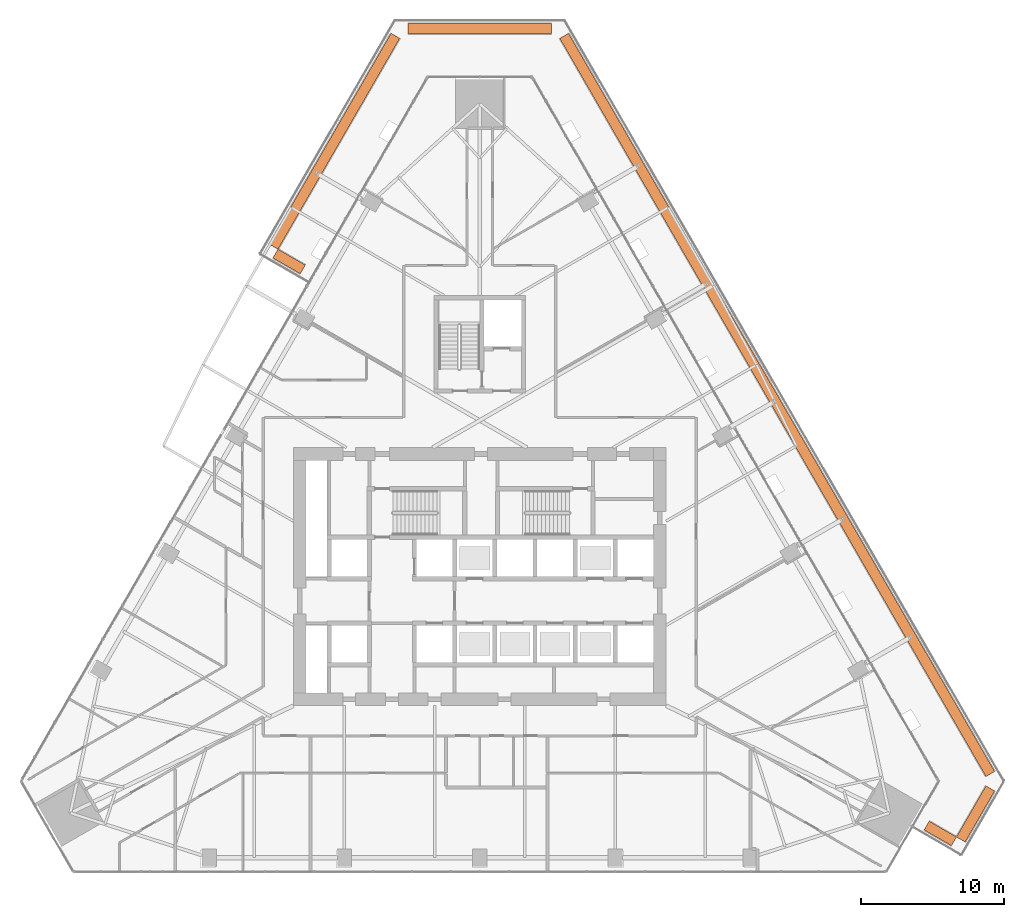
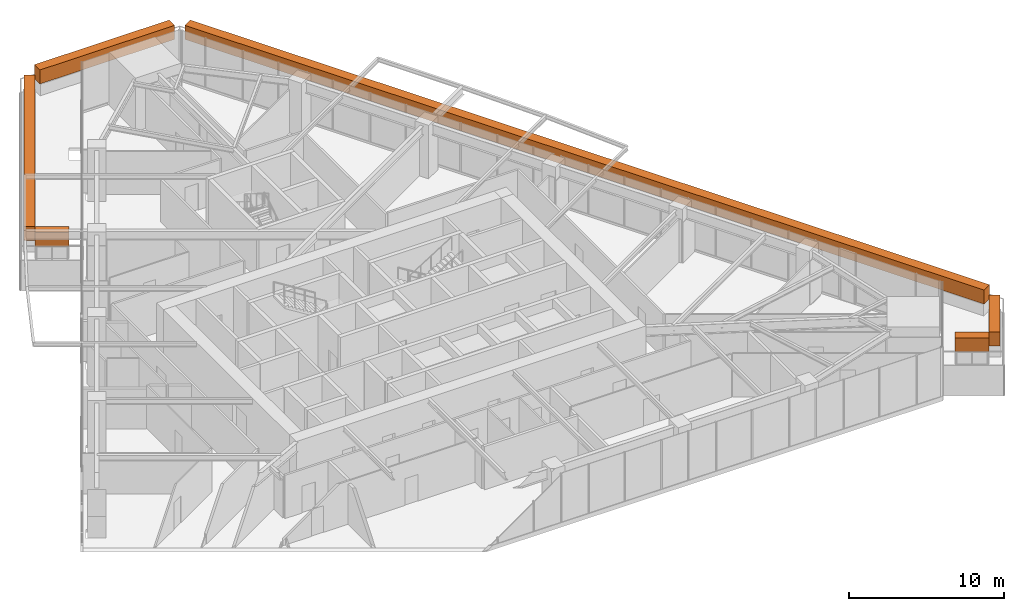
# One storey, part 29 of 29: 6 geographic elements.
"""IFC4 building model written with IfcOpenShell, lengths in metres."""

from ifc_helpers import new_model, si_unit, direction, frame, origin, origin_2d, place, context, subcontext, project, spatial, rectangle, extrude, material, type_object, element, save


model = new_model("IFC4")

# Units and contexts
model_context = context("Model", 3, precision=1e-05, world=origin(), true_north=direction((0.0, 1.0)))
body_context = subcontext(model_context, "Body", "Model", "MODEL_VIEW")
ifc_project = project(units=[si_unit("LENGTHUNIT", "METRE"), si_unit("AREAUNIT", "SQUARE_METRE"), si_unit("VOLUMEUNIT", "CUBIC_METRE"), si_unit("PLANEANGLEUNIT", "RADIAN"), si_unit("MASSUNIT", "GRAM", prefix="KILO")], contexts=[model_context])

# Site, building, storey
site_placement = place(None, origin())
site = spatial("IfcSite", under=ifc_project, at=site_placement, CompositionType="ELEMENT")
building_placement = place(site_placement, origin())
building = spatial("IfcBuilding", under=site, at=building_placement, Name="Firuza Gate Tower and Library", CompositionType="ELEMENT")
storey_placement = place(building_placement, frame((0.0, 0.0, 82.0)))
storey = spatial("IfcBuildingStorey", under=building, at=storey_placement, Name="L18", CompositionType="ELEMENT", Elevation=82.0)

# Geographic elements
ifc_material = material(Name="Foliage")
geographic_element_type = type_object("IfcGeographicElementType", Name="Planted hedge", PredefinedType="USERDEFINED", material=ifc_material)
geographic_element_1_placement = place(storey_placement, frame((107.115478515625, 57.09326171875, 0.89990234375), z_axis=(0.0, 0.0, 1.0), x_axis=(0.866025403784, -0.5, 0.0)))
element("IfcGeographicElement", 1, at=geographic_element_1_placement, inside=storey, type_object=geographic_element_type, Name="Planted hedge", ObjectType="HEDGE", PredefinedType="USERDEFINED", context=body_context, shape_type="SweptSolid", body=[
    extrude(rectangle(XDim=2.199951171875, YDim=0.699951171875, at=origin_2d()), origin(), (0.0, 0.0, 1.0), 1.10009765625),
])
geographic_element_2_placement = place(storey_placement, frame((109.573486328125, 58.45068359375, 0.89990234375), z_axis=(0.0, 0.0, 1.0), x_axis=(0.5, 0.866025403784, 0.0)))
element("IfcGeographicElement", 2, at=geographic_element_2_placement, inside=storey, type_object=geographic_element_type, Name="Planted hedge", ObjectType="HEDGE", PredefinedType="USERDEFINED", context=body_context, shape_type="SweptSolid", body=[
    extrude(rectangle(XDim=4.109375, YDim=0.699951171875, at=origin_2d()), origin(), (0.0, 0.0, 1.0), 1.10009765625),
])
geographic_element_3_placement = place(storey_placement, frame((95.741943359375, 86.975341796875, 0.89990234375), z_axis=(0.0, 0.0, 1.0), x_axis=(-0.5, 0.866025403784, 0.0)))
element("IfcGeographicElement", 3, at=geographic_element_3_placement, inside=storey, type_object=geographic_element_type, Name="Planted hedge", ObjectType="HEDGE", PredefinedType="USERDEFINED", context=body_context, shape_type="SweptSolid", body=[
    extrude(rectangle(XDim=59.435546875, YDim=0.699951171875, at=origin_2d()), origin(), (0.0, 0.0, 1.0), 1.10009765625),
])
geographic_element_4_placement = place(storey_placement, frame((75.0, 113.21630859375, 0.89990234375), z_axis=(0.0, 0.0, 1.0), x_axis=(-1.0, 0.0, 0.0)))
element("IfcGeographicElement", 4, at=geographic_element_4_placement, inside=storey, type_object=geographic_element_type, Name="Planted hedge", ObjectType="HEDGE", PredefinedType="USERDEFINED", context=body_context, shape_type="SweptSolid", body=[
    extrude(rectangle(XDim=10.018798828125, YDim=0.699951171875, at=origin_2d()), origin(), (0.0, 0.0, 1.0), 1.10009765625),
])
geographic_element_5_placement = place(storey_placement, frame((64.87158203125, 105.3583984375, 0.89990234375), z_axis=(0.0, 0.0, 1.0), x_axis=(-0.5, -0.866025403784, 0.0)))
element("IfcGeographicElement", 5, at=geographic_element_5_placement, inside=storey, type_object=geographic_element_type, Name="Planted hedge", ObjectType="HEDGE", PredefinedType="USERDEFINED", context=body_context, shape_type="SweptSolid", body=[
    extrude(rectangle(XDim=16.981689453125, YDim=0.699951171875, at=origin_2d()), origin(), (0.0, 0.0, 1.0), 1.10009765625),
])
geographic_element_6_placement = place(storey_placement, frame((61.706787109375, 96.97705078125, 0.89990234375), z_axis=(0.0, 0.0, 1.0), x_axis=(0.866025403784, -0.5, 0.0)))
element("IfcGeographicElement", 6, at=geographic_element_6_placement, inside=storey, type_object=geographic_element_type, Name="Planted hedge", ObjectType="HEDGE", PredefinedType="USERDEFINED", context=body_context, shape_type="SweptSolid", body=[
    extrude(rectangle(XDim=2.199951171875, YDim=0.699951171875, at=origin_2d()), origin(), (0.0, 0.0, 1.0), 1.10009765625),
])

save(model, "model.ifc")
